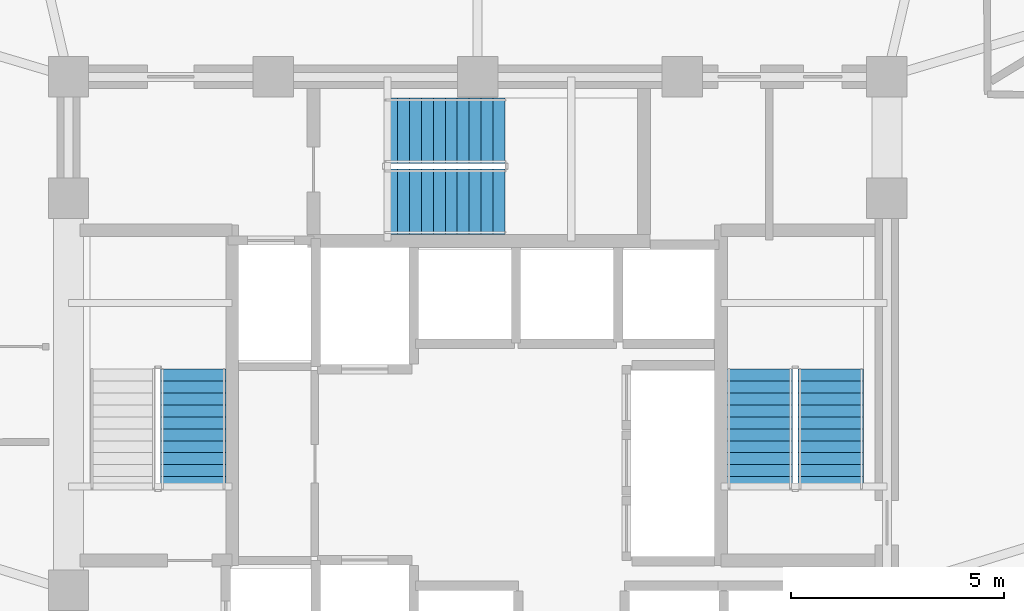
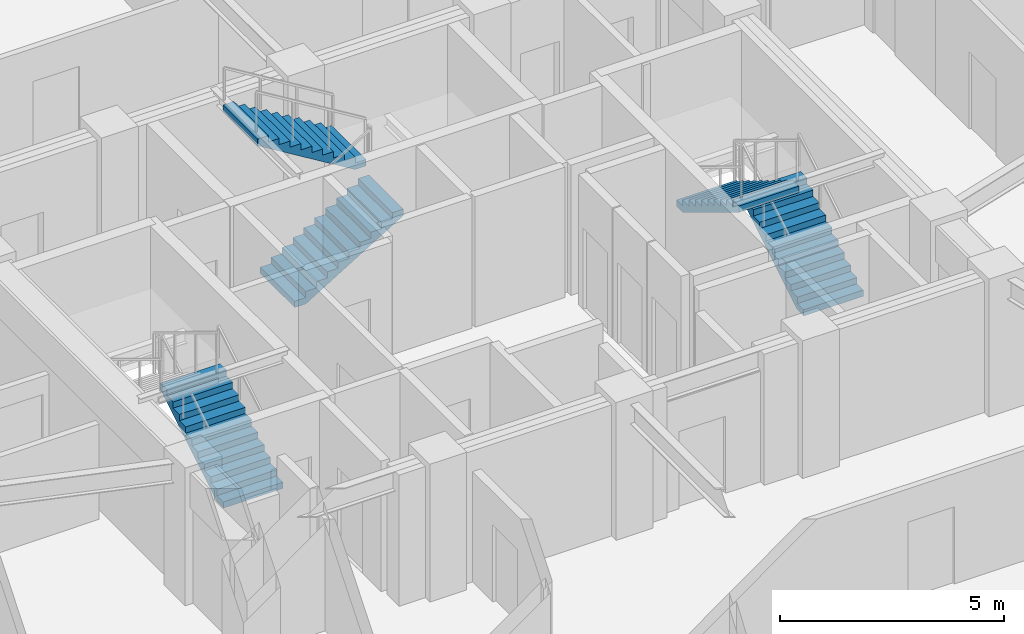
# One storey, part 25 of 29: 5 stair flights, 3 elements without a shape of their own.
"""IFC4 building model written with IfcOpenShell, lengths in metres."""

from ifc_helpers import new_model, si_unit, direction, frame, origin, place, context, subcontext, project, spatial, polyline, outline, extrude, material, type_object, element, aggregate, save


model = new_model("IFC4")

# Units and contexts
model_context = context("Model", 3, precision=1e-05, world=origin(), true_north=direction((0.0, 1.0)))
body_context = subcontext(model_context, "Body", "Model", "MODEL_VIEW")
ifc_project = project(units=[si_unit("LENGTHUNIT", "METRE"), si_unit("AREAUNIT", "SQUARE_METRE"), si_unit("VOLUMEUNIT", "CUBIC_METRE"), si_unit("PLANEANGLEUNIT", "RADIAN"), si_unit("MASSUNIT", "GRAM", prefix="KILO")], contexts=[model_context])

# Site, building, storey
site_placement = place(None, origin())
site = spatial("IfcSite", under=ifc_project, at=site_placement, CompositionType="ELEMENT")
building_placement = place(site_placement, origin())
building = spatial("IfcBuilding", under=site, at=building_placement, Name="Vantalir Tower", CompositionType="ELEMENT")
storey_placement = place(building_placement, frame((0.0, 0.0, 164.699951171875)))
storey = spatial("IfcBuildingStorey", under=building, at=storey_placement, Name="L41", CompositionType="ELEMENT", Elevation=164.699951171875)

# Stair, stair flight
ifc_material = material(Name="Concrete C40/50", Category="concrete")
stair_type = type_object("IfcStairType", Name="STR-CORE-1450", PredefinedType="HALF_TURN_STAIR", material=ifc_material)
stair_1_placement = place(storey_placement, origin())
stair_1 = element("IfcStair", 1, at=stair_1_placement, inside=storey, type_object=stair_type, Name="L41 Core Exit Stair 1", PredefinedType="HALF_TURN_STAIR")
stair_flight_type = type_object("IfcStairFlightType", Name="FLT-CORE-1450", PredefinedType="STRAIGHT", material=ifc_material)
stair_flight_1_placement = place(storey_placement, frame((24.830078125, 22.7900390625, 0.0), z_axis=(0.0, 0.0, 1.0), x_axis=(0.0, 1.0, 0.0)))
stair_flight_1 = element("IfcStairFlight", 2, at=stair_flight_1_placement, type_object=stair_flight_type, Name="ST1 flight 1", NumberOfRisers=11, NumberOfTreads=10, PredefinedType="STRAIGHT", RiserHeight=0.170454545, TreadLength=0.28, context=body_context, shape_type="SweptSolid", body=[
    extrude(outline(polyline([(0.0, 0.0), (0.0, 0.17041015625), (0.280029296875, 0.17041015625), (0.280029296875, 0.3408203125), (0.56005859375, 0.3408203125), (0.56005859375, 0.511474609375), (0.840087890625, 0.511474609375), (0.840087890625, 0.681884765625), (1.1201171875, 0.681884765625), (1.1201171875, 0.852294921875), (1.39990234375, 0.852294921875), (1.39990234375, 1.022705078125), (1.679931640625, 1.022705078125), (1.679931640625, 1.193115234375), (1.9599609375, 1.193115234375), (1.9599609375, 1.363525390625), (2.239990234375, 1.363525390625), (2.239990234375, 1.5341796875), (2.52001953125, 1.5341796875), (2.52001953125, 1.70458984375), (2.800048828125, 1.70458984375), (2.800048828125, 1.875), (2.800048828125, 1.529052734375), (0.288330078125, 0.0), (0.0, 0.0)])), frame((0.0, 0.77001953125, 0.0), z_axis=(0.0, -1.0, 0.0), x_axis=(1.0, 0.0, 0.0)), (0.0, 0.0, 1.0), 1.5400390625),
])
aggregate(stair_1, [stair_flight_1])

# Stair, stair flights
stair_2_placement = place(storey_placement, origin())
stair_2 = element("IfcStair", 3, at=stair_2_placement, inside=storey, type_object=stair_type, Name="L41 Core Exit Stair 2", PredefinedType="HALF_TURN_STAIR")
stair_flight_2_placement = place(storey_placement, frame((39.780029296875, 22.7900390625, 0.0), z_axis=(0.0, 0.0, 1.0), x_axis=(0.0, 1.0, 0.0)))
stair_flight_2 = element("IfcStairFlight", 4, at=stair_flight_2_placement, type_object=stair_flight_type, Name="ST2 flight 1", NumberOfRisers=11, NumberOfTreads=10, PredefinedType="STRAIGHT", RiserHeight=0.170454545, TreadLength=0.28, context=body_context, shape_type="SweptSolid", body=[
    extrude(outline(polyline([(0.0, 0.0), (0.0, 0.17041015625), (0.280029296875, 0.17041015625), (0.280029296875, 0.3408203125), (0.56005859375, 0.3408203125), (0.56005859375, 0.511474609375), (0.840087890625, 0.511474609375), (0.840087890625, 0.681884765625), (1.1201171875, 0.681884765625), (1.1201171875, 0.852294921875), (1.39990234375, 0.852294921875), (1.39990234375, 1.022705078125), (1.679931640625, 1.022705078125), (1.679931640625, 1.193115234375), (1.9599609375, 1.193115234375), (1.9599609375, 1.363525390625), (2.239990234375, 1.363525390625), (2.239990234375, 1.5341796875), (2.52001953125, 1.5341796875), (2.52001953125, 1.70458984375), (2.800048828125, 1.70458984375), (2.800048828125, 1.875), (2.800048828125, 1.529052734375), (0.288330078125, 0.0), (0.0, 0.0)])), frame((0.0, 0.77001953125, 0.0), z_axis=(0.0, -1.0, 0.0), x_axis=(1.0, 0.0, 0.0)), (0.0, 0.0, 1.0), 1.5400390625),
])
stair_flight_3_placement = place(storey_placement, frame((38.1201171875, 25.590087890625, 1.875), z_axis=(0.0, 0.0, 1.0), x_axis=(0.0, -1.0, 0.0)))
stair_flight_3 = element("IfcStairFlight", 5, at=stair_flight_3_placement, type_object=stair_flight_type, Name="ST2 flight 2", NumberOfRisers=11, NumberOfTreads=10, PredefinedType="STRAIGHT", RiserHeight=0.170454545, TreadLength=0.28, context=body_context, shape_type="SweptSolid", body=[
    extrude(outline(polyline([(0.0, 0.0), (0.0, 0.17041015625), (0.280029296875, 0.17041015625), (0.280029296875, 0.3408203125), (0.56005859375, 0.3408203125), (0.56005859375, 0.511474609375), (0.840087890625, 0.511474609375), (0.840087890625, 0.681884765625), (1.1201171875, 0.681884765625), (1.1201171875, 0.852294921875), (1.39990234375, 0.852294921875), (1.39990234375, 1.022705078125), (1.679931640625, 1.022705078125), (1.679931640625, 1.193115234375), (1.9599609375, 1.193115234375), (1.9599609375, 1.363525390625), (2.239990234375, 1.363525390625), (2.239990234375, 1.5341796875), (2.52001953125, 1.5341796875), (2.52001953125, 1.70458984375), (2.800048828125, 1.70458984375), (2.800048828125, 1.875), (2.800048828125, 1.529052734375), (0.288330078125, 0.0), (0.0, 0.0)])), frame((0.0, 0.77001953125, 0.0), z_axis=(0.0, -1.0, 0.0), x_axis=(1.0, 0.0, 0.0)), (0.0, 0.0, 1.0), 1.5400390625),
])
aggregate(stair_2, [stair_flight_2, stair_flight_3])

stair_3_placement = place(storey_placement, origin())
stair_3 = element("IfcStair", 6, at=stair_3_placement, inside=storey, type_object=stair_type, Name="L41 Core Exit Stair 3", PredefinedType="HALF_TURN_STAIR")
stair_flight_4_placement = place(storey_placement, frame((29.340087890625, 29.52001953125, 0.0), z_axis=(0.0, 0.0, 1.0), x_axis=(1.0, 0.0, 0.0)))
stair_flight_4 = element("IfcStairFlight", 7, at=stair_flight_4_placement, type_object=stair_flight_type, Name="ST3 flight 1", NumberOfRisers=11, NumberOfTreads=10, PredefinedType="STRAIGHT", RiserHeight=0.170454545, TreadLength=0.28, context=body_context, shape_type="SweptSolid", body=[
    extrude(outline(polyline([(0.0, 0.0), (0.0, 0.17041015625), (0.280029296875, 0.17041015625), (0.280029296875, 0.3408203125), (0.56005859375, 0.3408203125), (0.56005859375, 0.511474609375), (0.840087890625, 0.511474609375), (0.840087890625, 0.681884765625), (1.1201171875, 0.681884765625), (1.1201171875, 0.852294921875), (1.39990234375, 0.852294921875), (1.39990234375, 1.022705078125), (1.679931640625, 1.022705078125), (1.679931640625, 1.193115234375), (1.9599609375, 1.193115234375), (1.9599609375, 1.363525390625), (2.239990234375, 1.363525390625), (2.239990234375, 1.5341796875), (2.52001953125, 1.5341796875), (2.52001953125, 1.70458984375), (2.800048828125, 1.70458984375), (2.800048828125, 1.875), (2.800048828125, 1.529052734375), (0.288330078125, 0.0), (0.0, 0.0)])), frame((0.0, 0.77001953125, 0.0), z_axis=(0.0, -1.0, 0.0), x_axis=(1.0, 0.0, 0.0)), (0.0, 0.0, 1.0), 1.5400390625),
])
stair_flight_5_placement = place(storey_placement, frame((32.139892578125, 31.179931640625, 1.875), z_axis=(0.0, 0.0, 1.0), x_axis=(-1.0, 0.0, 0.0)))
stair_flight_5 = element("IfcStairFlight", 8, at=stair_flight_5_placement, type_object=stair_flight_type, Name="ST3 flight 2", NumberOfRisers=11, NumberOfTreads=10, PredefinedType="STRAIGHT", RiserHeight=0.170454545, TreadLength=0.28, context=body_context, shape_type="SweptSolid", body=[
    extrude(outline(polyline([(0.0, 0.0), (0.0, 0.17041015625), (0.280029296875, 0.17041015625), (0.280029296875, 0.3408203125), (0.56005859375, 0.3408203125), (0.56005859375, 0.511474609375), (0.840087890625, 0.511474609375), (0.840087890625, 0.681884765625), (1.1201171875, 0.681884765625), (1.1201171875, 0.852294921875), (1.39990234375, 0.852294921875), (1.39990234375, 1.022705078125), (1.679931640625, 1.022705078125), (1.679931640625, 1.193115234375), (1.9599609375, 1.193115234375), (1.9599609375, 1.363525390625), (2.239990234375, 1.363525390625), (2.239990234375, 1.5341796875), (2.52001953125, 1.5341796875), (2.52001953125, 1.70458984375), (2.800048828125, 1.70458984375), (2.800048828125, 1.875), (2.800048828125, 1.529052734375), (0.288330078125, 0.0), (0.0, 0.0)])), frame((0.0, 0.77001953125, 0.0), z_axis=(0.0, -1.0, 0.0), x_axis=(1.0, 0.0, 0.0)), (0.0, 0.0, 1.0), 1.5400390625),
])
aggregate(stair_3, [stair_flight_4, stair_flight_5])

save(model, "model.ifc")
